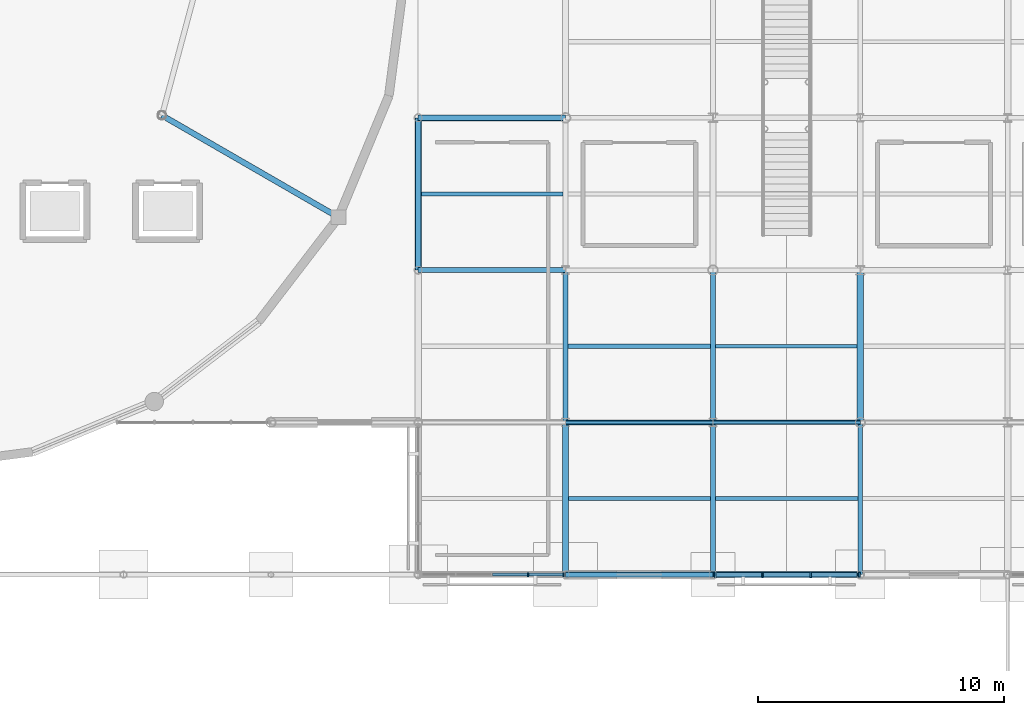
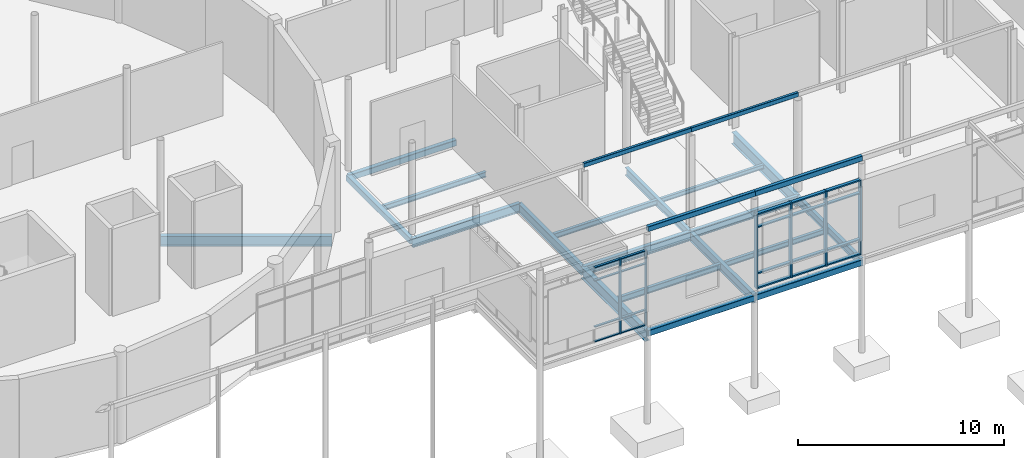
# One storey, part 38 of 98: 26 members, 23 beams, 2 elements without a shape of their own.
"""IFC4 building model written with IfcOpenShell, lengths in metres."""

from ifc_helpers import new_model, si_unit, direction, frame, origin, origin_2d, place, context, subcontext, project, spatial, rectangle, hollow_rectangle, i_section, extrude, material, layer, layer_set, material_profile, profile_set, type_object, element, aggregate, save


model = new_model("IFC4")

# Units and contexts
model_context = context("Model", 3, precision=1e-05, world=origin(), true_north=direction((0.0, 1.0)))
body_context = subcontext(model_context, "Body", "Model", "MODEL_VIEW")
ifc_project = project(units=[si_unit("LENGTHUNIT", "METRE"), si_unit("AREAUNIT", "SQUARE_METRE"), si_unit("VOLUMEUNIT", "CUBIC_METRE"), si_unit("PLANEANGLEUNIT", "RADIAN"), si_unit("MASSUNIT", "GRAM", prefix="KILO")], contexts=[model_context])

# Site, building, storey
site_placement = place(None, origin())
site = spatial("IfcSite", under=ifc_project, at=site_placement, CompositionType="ELEMENT")
building_placement = place(site_placement, origin())
building = spatial("IfcBuilding", under=site, at=building_placement, Name="Mirzam Square Science Centre", CompositionType="ELEMENT")
storey_placement = place(building_placement, origin())
storey = spatial("IfcBuildingStorey", under=building, at=storey_placement, Name="L00", CompositionType="ELEMENT", Elevation=0.0)

# Beams
ifc_material_1 = material(Name="Steel S355", Category="steel")
ifc_material_profile_1 = material_profile(ifc_material_1, i_section(OverallWidth=0.19140625, OverallDepth=0.4599609375, WebThickness=0.010009765625, FlangeThickness=0.01611328125, FilletRadius=0.01025390625, at=origin_2d()), Name="457x191x82UB")
ifc_profile_set_1 = profile_set([ifc_material_profile_1], Name="Steel S355")
beam_type_1 = type_object("IfcBeamType", Name="BM-UB457", PredefinedType="BEAM", material=ifc_profile_set_1)
beam_1_placement = place(storey_placement, frame((114.0, 43.39990234375, -0.530029296875), z_axis=(1.0, 0.0, 0.0), x_axis=(0.0, 1.0, 0.0)))
element("IfcBeam", 1, at=beam_1_placement, inside=storey, type_object=beam_type_1, Name="L00 girder X20-8", PredefinedType="BEAM", context=body_context, shape_type="SweptSolid", body=[
    extrude(i_section(OverallWidth=0.19140625, OverallDepth=0.4599609375, WebThickness=0.010009765625, FlangeThickness=0.01611328125, FilletRadius=0.01025390625, at=origin_2d()), origin(), (0.0, 0.0, 1.0), 6.0),
])
beam_2_placement = place(storey_placement, frame((114.0, 43.39990234375, -0.530029296875), z_axis=(0.0, 1.0, 0.0), x_axis=(-1.0, 0.0, 0.0)))
element("IfcBeam", 2, at=beam_2_placement, inside=storey, type_object=beam_type_1, Name="L00 girder Y20-8", PredefinedType="BEAM", context=body_context, shape_type="SweptSolid", body=[
    extrude(i_section(OverallWidth=0.19140625, OverallDepth=0.4599609375, WebThickness=0.010009765625, FlangeThickness=0.01611328125, FilletRadius=0.01025390625, at=origin_2d()), origin(), (0.0, 0.0, 1.0), 6.2001953125),
])
beam_3_placement = place(storey_placement, frame((120.0, 37.199951171875, -0.530029296875), z_axis=(0.0, 1.0, 0.0), x_axis=(-1.0, 0.0, 0.0)))
element("IfcBeam", 3, at=beam_3_placement, inside=storey, type_object=beam_type_1, Name="L00 girder Y21-7", PredefinedType="BEAM", context=body_context, shape_type="SweptSolid", body=[
    extrude(i_section(OverallWidth=0.19140625, OverallDepth=0.4599609375, WebThickness=0.010009765625, FlangeThickness=0.01611328125, FilletRadius=0.01025390625, at=origin_2d()), origin(), (0.0, 0.0, 1.0), 6.199951171875),
])
ifc_material_profile_2 = material_profile(ifc_material_1, i_section(OverallWidth=0.2099609375, OverallDepth=0.53662109375, WebThickness=0.0107421875, FlangeThickness=0.017333984375, FilletRadius=0.0126953125, at=origin_2d()), Name="533x210x101UB")
ifc_profile_set_2 = profile_set([ifc_material_profile_2], Name="Steel S355")
beam_type_2 = type_object("IfcBeamType", Name="BM-UB533", PredefinedType="BEAM", material=ifc_profile_set_2)
for number, where, z_axis, x_axis, name in (
    (4, (108.0, 43.39990234375, -0.568359375), (1.0, 0.0, 0.0), (0.0, 1.0, 0.0), "L00 girder X19-8"),
    (5, (102.0, 49.60009765625, -0.568359375), (1.0, 0.0, 0.0), (0.0, 1.0, 0.0), "L00 girder X18-9"),
):
    element("IfcBeam", number, at=place(storey_placement, frame(where, z_axis=z_axis, x_axis=x_axis)), inside=storey, type_object=beam_type_2, Name=name, PredefinedType="BEAM", context=body_context, shape_type="SweptSolid", body=[
        extrude(i_section(OverallWidth=0.2099609375, OverallDepth=0.53662109375, WebThickness=0.0107421875, FlangeThickness=0.017333984375, FilletRadius=0.0126953125, at=origin_2d()), origin(), (0.0, 0.0, 1.0), 6.0),
    ])
beam_4_placement = place(storey_placement, frame((108.0, 43.39990234375, -0.568359375), z_axis=(0.0, 1.0, 0.0), x_axis=(-1.0, 0.0, 0.0)))
element("IfcBeam", 6, at=beam_4_placement, inside=storey, type_object=beam_type_2, Name="L00 girder Y19-8", PredefinedType="BEAM", context=body_context, shape_type="SweptSolid", body=[
    extrude(i_section(OverallWidth=0.2099609375, OverallDepth=0.53662109375, WebThickness=0.0107421875, FlangeThickness=0.017333984375, FilletRadius=0.0126953125, at=origin_2d()), origin(), (0.0, 0.0, 1.0), 6.2001953125),
])
beam_5_placement = place(storey_placement, frame((114.0, 37.199951171875, -0.568359375), z_axis=(0.0, 1.0, 0.0), x_axis=(-1.0, 0.0, 0.0)))
element("IfcBeam", 7, at=beam_5_placement, inside=storey, type_object=beam_type_2, Name="L00 girder Y20-7", PredefinedType="BEAM", context=body_context, shape_type="SweptSolid", body=[
    extrude(i_section(OverallWidth=0.2099609375, OverallDepth=0.53662109375, WebThickness=0.0107421875, FlangeThickness=0.017333984375, FilletRadius=0.0126953125, at=origin_2d()), origin(), (0.0, 0.0, 1.0), 6.199951171875),
])
ifc_material_profile_3 = material_profile(ifc_material_1, i_section(OverallWidth=0.22900390625, OverallDepth=0.6123046875, WebThickness=0.011962890625, FlangeThickness=0.01953125, FilletRadius=0.0126953125, at=origin_2d()), Name="610x229x125UB")
ifc_profile_set_3 = profile_set([ifc_material_profile_3], Name="Steel S355")
beam_type_3 = type_object("IfcBeamType", Name="BM-UB610", PredefinedType="BEAM", material=ifc_profile_set_3)
beam_6_placement = place(storey_placement, frame((91.5654296875, 55.89990234375, -0.606201171875), z_axis=(0.86602981871, -0.499992353047, 0.0), x_axis=(0.499992353047, 0.86602981871, 0.0)))
element("IfcBeam", 8, at=beam_6_placement, inside=storey, type_object=beam_type_3, Name="L00 drum radial girder 12", PredefinedType="BEAM", context=body_context, shape_type="SweptSolid", body=[
    extrude(i_section(OverallWidth=0.22900390625, OverallDepth=0.6123046875, WebThickness=0.011962890625, FlangeThickness=0.01953125, FilletRadius=0.0126953125, at=origin_2d()), origin(), (0.0, 0.0, 1.0), 8.300048828125),
])
ifc_material_profile_4 = material_profile(ifc_material_1, i_section(OverallWidth=0.25439453125, OverallDepth=0.6875, WebThickness=0.01318359375, FlangeThickness=0.02099609375, FilletRadius=0.01513671875, at=origin_2d()), Name="686x254x152UB")
ifc_profile_set_4 = profile_set([ifc_material_profile_4], Name="Steel S355")
beam_type_4 = type_object("IfcBeamType", Name="BM-UB686", PredefinedType="BEAM", material=ifc_profile_set_4)
beam_7_placement = place(storey_placement, frame((108.0, 37.199951171875, -0.643798828125), z_axis=(0.0, 1.0, 0.0), x_axis=(-1.0, 0.0, 0.0)))
element("IfcBeam", 9, at=beam_7_placement, inside=storey, type_object=beam_type_4, Name="L00 girder Y19-7", PredefinedType="BEAM", context=body_context, shape_type="SweptSolid", body=[
    extrude(i_section(OverallWidth=0.25439453125, OverallDepth=0.6875, WebThickness=0.01318359375, FlangeThickness=0.02099609375, FilletRadius=0.01513671875, at=origin_2d()), origin(), (0.0, 0.0, 1.0), 6.199951171875),
])
beam_8_placement = place(storey_placement, frame((120.0, 43.39990234375, -0.643798828125), z_axis=(0.0, 1.0, 0.0), x_axis=(-1.0, 0.0, 0.0)))
element("IfcBeam", 10, at=beam_8_placement, inside=storey, type_object=beam_type_4, Name="L00 girder Y21-8", PredefinedType="BEAM", context=body_context, shape_type="SweptSolid", body=[
    extrude(i_section(OverallWidth=0.25439453125, OverallDepth=0.6875, WebThickness=0.01318359375, FlangeThickness=0.02099609375, FilletRadius=0.01513671875, at=origin_2d()), origin(), (0.0, 0.0, 1.0), 6.2001953125),
])

# Curtain wall, members
ifc_material_2 = material(Name="Anodised Aluminium and Low-E Solar Glass", Category="aluminium")
ifc_layer_1 = layer(ifc_material_2, 0.159912109375)
ifc_layer_set_1 = layer_set([ifc_layer_1], Name="CW-COURT-B")
curtain_wall_type_1 = type_object("IfcCurtainWallType", Name="CW-COURT-B", PredefinedType="USERDEFINED", material=ifc_layer_set_1)
curtain_wall_1_placement = place(storey_placement, origin())
curtain_wall_1 = element("IfcCurtainWall", 11, at=curtain_wall_1_placement, inside=storey, type_object=curtain_wall_type_1, Name="L00 unitised curtain wall 64", ObjectType="UNITISED CURTAIN WALL", PredefinedType="USERDEFINED")
ifc_material_3 = material(Name="Anodised Architectural Aluminium 6063-T6", Category="aluminium")
ifc_material_profile_5 = material_profile(ifc_material_3, rectangle(XDim=0.06005859375, YDim=0.159912109375, at=origin_2d()), Name="ALU-MULL-160x60x4")
ifc_profile_set_5 = profile_set([ifc_material_profile_5], Name="Anodised Architectural Aluminium 6063-T6")
member_type_1 = type_object("IfcMemberType", Name="CWM-160", PredefinedType="MULLION", material=ifc_profile_set_5)
member_1_placement = place(storey_placement, frame((106.472412109375, 37.199951171875, 0.0), z_axis=(0.0, 0.0, 1.0), x_axis=(1.0, 0.0, 0.0)))
member_1 = element("IfcMember", 12, at=member_1_placement, type_object=member_type_1, Name="CW-04 mullion 4", PredefinedType="MULLION", context=body_context, shape_type="SweptSolid", body=[
    extrude(rectangle(XDim=0.06005859375, YDim=0.159912109375, at=origin_2d()), origin(), (0.0, 0.0, 1.0), 4.43994140625),
])
member_2_placement = place(storey_placement, frame((107.9150390625, 37.199951171875, 0.0), z_axis=(0.0, 0.0, 1.0), x_axis=(1.0, 0.0, 0.0)))
member_2 = element("IfcMember", 13, at=member_2_placement, type_object=member_type_1, Name="CW-04 mullion 5", PredefinedType="MULLION", context=body_context, shape_type="SweptSolid", body=[
    extrude(rectangle(XDim=0.06005859375, YDim=0.159912109375, at=origin_2d()), origin(), (0.0, 0.0, 1.0), 4.43994140625),
])

ifc_layer_2 = layer(ifc_material_2, 0.239990234375)
ifc_layer_set_2 = layer_set([ifc_layer_2], Name="CW-EAST-B")
curtain_wall_type_2 = type_object("IfcCurtainWallType", Name="CW-EAST-B", PredefinedType="USERDEFINED", material=ifc_layer_set_2)
curtain_wall_2_placement = place(storey_placement, origin())
curtain_wall_2 = element("IfcCurtainWall", 14, at=curtain_wall_2_placement, inside=storey, type_object=curtain_wall_type_2, Name="L00 unitised curtain wall 65", ObjectType="UNITISED CURTAIN WALL", PredefinedType="USERDEFINED")
ifc_material_profile_6 = material_profile(ifc_material_3, rectangle(XDim=0.074951171875, YDim=0.239990234375, at=origin_2d()), Name="ALU-MULL-240x75x5")
ifc_profile_set_6 = profile_set([ifc_material_profile_6], Name="Anodised Architectural Aluminium 6063-T6")
member_type_2 = type_object("IfcMemberType", Name="CWM-240", PredefinedType="MULLION", material=ifc_profile_set_6)
member_3_placement = place(storey_placement, frame((114.092529296875, 37.199951171875, 0.0), z_axis=(0.0, 0.0, 1.0), x_axis=(1.0, 0.0, 0.0)))
member_3 = element("IfcMember", 15, at=member_3_placement, type_object=member_type_2, Name="CW-06 mullion 1", PredefinedType="MULLION", context=body_context, shape_type="SweptSolid", body=[
    extrude(rectangle(XDim=0.074951171875, YDim=0.239990234375, at=origin_2d()), origin(), (0.0, 0.0, 1.0), 4.43994140625),
])
member_4_placement = place(storey_placement, frame((116.018310546875, 37.199951171875, 0.0), z_axis=(0.0, 0.0, 1.0), x_axis=(1.0, 0.0, 0.0)))
member_4 = element("IfcMember", 16, at=member_4_placement, type_object=member_type_2, Name="CW-06 mullion 2", PredefinedType="MULLION", context=body_context, shape_type="SweptSolid", body=[
    extrude(rectangle(XDim=0.074951171875, YDim=0.239990234375, at=origin_2d()), origin(), (0.0, 0.0, 1.0), 4.43994140625),
])
member_5_placement = place(storey_placement, frame((117.981689453125, 37.199951171875, 0.0), z_axis=(0.0, 0.0, 1.0), x_axis=(1.0, 0.0, 0.0)))
member_5 = element("IfcMember", 17, at=member_5_placement, type_object=member_type_2, Name="CW-06 mullion 3", PredefinedType="MULLION", context=body_context, shape_type="SweptSolid", body=[
    extrude(rectangle(XDim=0.074951171875, YDim=0.239990234375, at=origin_2d()), origin(), (0.0, 0.0, 1.0), 4.43994140625),
])
member_6_placement = place(storey_placement, frame((119.907470703125, 37.199951171875, 0.0), z_axis=(0.0, 0.0, 1.0), x_axis=(1.0, 0.0, 0.0)))
member_6 = element("IfcMember", 18, at=member_6_placement, type_object=member_type_2, Name="CW-06 mullion 4", PredefinedType="MULLION", context=body_context, shape_type="SweptSolid", body=[
    extrude(rectangle(XDim=0.074951171875, YDim=0.239990234375, at=origin_2d()), origin(), (0.0, 0.0, 1.0), 4.43994140625),
])

# Member
ifc_material_profile_7 = material_profile(ifc_material_3, rectangle(XDim=0.1201171875, YDim=0.06005859375, at=origin_2d()), Name="ALU-TRAN-120x60x4")
ifc_profile_set_7 = profile_set([ifc_material_profile_7], Name="Anodised Architectural Aluminium 6063-T6")
member_type_3 = type_object("IfcMemberType", Name="CWT-120", PredefinedType="USERDEFINED", material=ifc_profile_set_7)
member_7_placement = place(storey_placement, frame((105.030029296875, 37.199951171875, 0.030029296875), z_axis=(1.0, 0.0, 0.0), x_axis=(0.0, 1.0, 0.0)))
member_7 = element("IfcMember", 19, at=member_7_placement, type_object=member_type_3, Name="CW-04 transom 3.1", ObjectType="TRANSOM", PredefinedType="USERDEFINED", context=body_context, shape_type="SweptSolid", body=[
    extrude(rectangle(XDim=0.1201171875, YDim=0.06005859375, at=origin_2d()), origin(), (0.0, 0.0, 1.0), 1.412353515625),
])

member_8_placement = place(storey_placement, frame((105.030029296875, 37.199951171875, 0.89990234375), z_axis=(1.0, 0.0, 0.0), x_axis=(0.0, 1.0, 0.0)))
member_8 = element("IfcMember", 20, at=member_8_placement, type_object=member_type_3, Name="CW-04 transom 3.2", ObjectType="TRANSOM", PredefinedType="USERDEFINED", context=body_context, shape_type="SweptSolid", body=[
    extrude(rectangle(XDim=0.1201171875, YDim=0.06005859375, at=origin_2d()), origin(), (0.0, 0.0, 1.0), 1.412353515625),
])

member_9_placement = place(storey_placement, frame((105.030029296875, 37.199951171875, 3.639892578125), z_axis=(1.0, 0.0, 0.0), x_axis=(0.0, 1.0, 0.0)))
member_9 = element("IfcMember", 21, at=member_9_placement, type_object=member_type_3, Name="CW-04 transom 3.3", ObjectType="TRANSOM", PredefinedType="USERDEFINED", context=body_context, shape_type="SweptSolid", body=[
    extrude(rectangle(XDim=0.1201171875, YDim=0.06005859375, at=origin_2d()), origin(), (0.0, 0.0, 1.0), 1.412353515625),
])

member_10_placement = place(storey_placement, frame((105.030029296875, 37.199951171875, 4.409912109375), z_axis=(1.0, 0.0, 0.0), x_axis=(0.0, 1.0, 0.0)))
member_10 = element("IfcMember", 22, at=member_10_placement, type_object=member_type_3, Name="CW-04 transom 3.4", ObjectType="TRANSOM", PredefinedType="USERDEFINED", context=body_context, shape_type="SweptSolid", body=[
    extrude(rectangle(XDim=0.1201171875, YDim=0.06005859375, at=origin_2d()), origin(), (0.0, 0.0, 1.0), 1.412353515625),
])

member_11_placement = place(storey_placement, frame((106.50244140625, 37.199951171875, 0.030029296875), z_axis=(1.0, 0.0, 0.0), x_axis=(0.0, 1.0, 0.0)))
member_11 = element("IfcMember", 23, at=member_11_placement, type_object=member_type_3, Name="CW-04 transom 4.1", ObjectType="TRANSOM", PredefinedType="USERDEFINED", context=body_context, shape_type="SweptSolid", body=[
    extrude(rectangle(XDim=0.1201171875, YDim=0.06005859375, at=origin_2d()), origin(), (0.0, 0.0, 1.0), 1.382568359375),
])

member_12_placement = place(storey_placement, frame((106.50244140625, 37.199951171875, 0.89990234375), z_axis=(1.0, 0.0, 0.0), x_axis=(0.0, 1.0, 0.0)))
member_12 = element("IfcMember", 24, at=member_12_placement, type_object=member_type_3, Name="CW-04 transom 4.2", ObjectType="TRANSOM", PredefinedType="USERDEFINED", context=body_context, shape_type="SweptSolid", body=[
    extrude(rectangle(XDim=0.1201171875, YDim=0.06005859375, at=origin_2d()), origin(), (0.0, 0.0, 1.0), 1.382568359375),
])

member_13_placement = place(storey_placement, frame((106.50244140625, 37.199951171875, 3.639892578125), z_axis=(1.0, 0.0, 0.0), x_axis=(0.0, 1.0, 0.0)))
member_13 = element("IfcMember", 25, at=member_13_placement, type_object=member_type_3, Name="CW-04 transom 4.3", ObjectType="TRANSOM", PredefinedType="USERDEFINED", context=body_context, shape_type="SweptSolid", body=[
    extrude(rectangle(XDim=0.1201171875, YDim=0.06005859375, at=origin_2d()), origin(), (0.0, 0.0, 1.0), 1.382568359375),
])

member_14_placement = place(storey_placement, frame((106.50244140625, 37.199951171875, 4.409912109375), z_axis=(1.0, 0.0, 0.0), x_axis=(0.0, 1.0, 0.0)))
member_14 = element("IfcMember", 26, at=member_14_placement, type_object=member_type_3, Name="CW-04 transom 4.4", ObjectType="TRANSOM", PredefinedType="USERDEFINED", context=body_context, shape_type="SweptSolid", body=[
    extrude(rectangle(XDim=0.1201171875, YDim=0.06005859375, at=origin_2d()), origin(), (0.0, 0.0, 1.0), 1.382568359375),
])

aggregate(curtain_wall_1, [member_1, member_2, member_7, member_8, member_9, member_10, member_11, member_12, member_13, member_14])

ifc_material_profile_8 = material_profile(ifc_material_3, rectangle(XDim=0.179931640625, YDim=0.074951171875, at=origin_2d()), Name="ALU-TRAN-180x75x5")
ifc_profile_set_8 = profile_set([ifc_material_profile_8], Name="Anodised Architectural Aluminium 6063-T6")
member_type_4 = type_object("IfcMemberType", Name="CWT-180", PredefinedType="USERDEFINED", material=ifc_profile_set_8)
member_15_placement = place(storey_placement, frame((114.1298828125, 37.199951171875, 0.03759765625), z_axis=(1.0, 0.0, 0.0), x_axis=(0.0, 1.0, 0.0)))
member_15 = element("IfcMember", 27, at=member_15_placement, type_object=member_type_4, Name="CW-06 transom 1.1", ObjectType="TRANSOM", PredefinedType="USERDEFINED", context=body_context, shape_type="SweptSolid", body=[
    extrude(rectangle(XDim=0.179931640625, YDim=0.074951171875, at=origin_2d()), origin(), (0.0, 0.0, 1.0), 1.850830078125),
])

member_16_placement = place(storey_placement, frame((114.1298828125, 37.199951171875, 0.89990234375), z_axis=(1.0, 0.0, 0.0), x_axis=(0.0, 1.0, 0.0)))
member_16 = element("IfcMember", 28, at=member_16_placement, type_object=member_type_4, Name="CW-06 transom 1.2", ObjectType="TRANSOM", PredefinedType="USERDEFINED", context=body_context, shape_type="SweptSolid", body=[
    extrude(rectangle(XDim=0.179931640625, YDim=0.074951171875, at=origin_2d()), origin(), (0.0, 0.0, 1.0), 1.850830078125),
])

member_17_placement = place(storey_placement, frame((114.1298828125, 37.199951171875, 3.639892578125), z_axis=(1.0, 0.0, 0.0), x_axis=(0.0, 1.0, 0.0)))
member_17 = element("IfcMember", 29, at=member_17_placement, type_object=member_type_4, Name="CW-06 transom 1.3", ObjectType="TRANSOM", PredefinedType="USERDEFINED", context=body_context, shape_type="SweptSolid", body=[
    extrude(rectangle(XDim=0.179931640625, YDim=0.074951171875, at=origin_2d()), origin(), (0.0, 0.0, 1.0), 1.850830078125),
])

member_18_placement = place(storey_placement, frame((114.1298828125, 37.199951171875, 4.402587890625), z_axis=(1.0, 0.0, 0.0), x_axis=(0.0, 1.0, 0.0)))
member_18 = element("IfcMember", 30, at=member_18_placement, type_object=member_type_4, Name="CW-06 transom 1.4", ObjectType="TRANSOM", PredefinedType="USERDEFINED", context=body_context, shape_type="SweptSolid", body=[
    extrude(rectangle(XDim=0.179931640625, YDim=0.074951171875, at=origin_2d()), origin(), (0.0, 0.0, 1.0), 1.850830078125),
])

member_19_placement = place(storey_placement, frame((116.055908203125, 37.199951171875, 0.03759765625), z_axis=(1.0, 0.0, 0.0), x_axis=(0.0, 1.0, 0.0)))
member_19 = element("IfcMember", 31, at=member_19_placement, type_object=member_type_4, Name="CW-06 transom 2.1", ObjectType="TRANSOM", PredefinedType="USERDEFINED", context=body_context, shape_type="SweptSolid", body=[
    extrude(rectangle(XDim=0.179931640625, YDim=0.074951171875, at=origin_2d()), origin(), (0.0, 0.0, 1.0), 1.88818359375),
])

member_20_placement = place(storey_placement, frame((116.055908203125, 37.199951171875, 0.89990234375), z_axis=(1.0, 0.0, 0.0), x_axis=(0.0, 1.0, 0.0)))
member_20 = element("IfcMember", 32, at=member_20_placement, type_object=member_type_4, Name="CW-06 transom 2.2", ObjectType="TRANSOM", PredefinedType="USERDEFINED", context=body_context, shape_type="SweptSolid", body=[
    extrude(rectangle(XDim=0.179931640625, YDim=0.074951171875, at=origin_2d()), origin(), (0.0, 0.0, 1.0), 1.88818359375),
])

member_21_placement = place(storey_placement, frame((116.055908203125, 37.199951171875, 3.639892578125), z_axis=(1.0, 0.0, 0.0), x_axis=(0.0, 1.0, 0.0)))
member_21 = element("IfcMember", 33, at=member_21_placement, type_object=member_type_4, Name="CW-06 transom 2.3", ObjectType="TRANSOM", PredefinedType="USERDEFINED", context=body_context, shape_type="SweptSolid", body=[
    extrude(rectangle(XDim=0.179931640625, YDim=0.074951171875, at=origin_2d()), origin(), (0.0, 0.0, 1.0), 1.88818359375),
])

member_22_placement = place(storey_placement, frame((116.055908203125, 37.199951171875, 4.402587890625), z_axis=(1.0, 0.0, 0.0), x_axis=(0.0, 1.0, 0.0)))
member_22 = element("IfcMember", 34, at=member_22_placement, type_object=member_type_4, Name="CW-06 transom 2.4", ObjectType="TRANSOM", PredefinedType="USERDEFINED", context=body_context, shape_type="SweptSolid", body=[
    extrude(rectangle(XDim=0.179931640625, YDim=0.074951171875, at=origin_2d()), origin(), (0.0, 0.0, 1.0), 1.88818359375),
])

member_23_placement = place(storey_placement, frame((118.019287109375, 37.199951171875, 0.03759765625), z_axis=(1.0, 0.0, 0.0), x_axis=(0.0, 1.0, 0.0)))
member_23 = element("IfcMember", 35, at=member_23_placement, type_object=member_type_4, Name="CW-06 transom 3.1", ObjectType="TRANSOM", PredefinedType="USERDEFINED", context=body_context, shape_type="SweptSolid", body=[
    extrude(rectangle(XDim=0.179931640625, YDim=0.074951171875, at=origin_2d()), origin(), (0.0, 0.0, 1.0), 1.850830078125),
])

member_24_placement = place(storey_placement, frame((118.019287109375, 37.199951171875, 0.89990234375), z_axis=(1.0, 0.0, 0.0), x_axis=(0.0, 1.0, 0.0)))
member_24 = element("IfcMember", 36, at=member_24_placement, type_object=member_type_4, Name="CW-06 transom 3.2", ObjectType="TRANSOM", PredefinedType="USERDEFINED", context=body_context, shape_type="SweptSolid", body=[
    extrude(rectangle(XDim=0.179931640625, YDim=0.074951171875, at=origin_2d()), origin(), (0.0, 0.0, 1.0), 1.850830078125),
])

member_25_placement = place(storey_placement, frame((118.019287109375, 37.199951171875, 3.639892578125), z_axis=(1.0, 0.0, 0.0), x_axis=(0.0, 1.0, 0.0)))
member_25 = element("IfcMember", 37, at=member_25_placement, type_object=member_type_4, Name="CW-06 transom 3.3", ObjectType="TRANSOM", PredefinedType="USERDEFINED", context=body_context, shape_type="SweptSolid", body=[
    extrude(rectangle(XDim=0.179931640625, YDim=0.074951171875, at=origin_2d()), origin(), (0.0, 0.0, 1.0), 1.850830078125),
])

member_26_placement = place(storey_placement, frame((118.019287109375, 37.199951171875, 4.402587890625), z_axis=(1.0, 0.0, 0.0), x_axis=(0.0, 1.0, 0.0)))
member_26 = element("IfcMember", 38, at=member_26_placement, type_object=member_type_4, Name="CW-06 transom 3.4", ObjectType="TRANSOM", PredefinedType="USERDEFINED", context=body_context, shape_type="SweptSolid", body=[
    extrude(rectangle(XDim=0.179931640625, YDim=0.074951171875, at=origin_2d()), origin(), (0.0, 0.0, 1.0), 1.850830078125),
])

aggregate(curtain_wall_2, [member_3, member_4, member_5, member_6, member_15, member_16, member_17, member_18, member_19, member_20, member_21, member_22, member_23, member_24, member_25, member_26])

# Beams
ifc_material_profile_9 = material_profile(ifc_material_1, i_section(OverallWidth=0.146484375, OverallDepth=0.256103515625, WebThickness=0.00634765625, FlangeThickness=0.010986328125, FilletRadius=0.007568359375, at=origin_2d()), Name="254x146x37UB")
ifc_profile_set_9 = profile_set([ifc_material_profile_9], Name="Steel S355")
beam_type_5 = type_object("IfcBeamType", Name="JS-UB254", PredefinedType="JOIST", material=ifc_profile_set_9)
beam_9_placement = place(storey_placement, frame((114.095703125, 46.5, -0.427978515625), z_axis=(1.0, 0.0, 0.0), x_axis=(0.0, 1.0, 0.0)))
element("IfcBeam", 39, at=beam_9_placement, inside=storey, type_object=beam_type_5, Name="L00 composite joist 20-8", PredefinedType="JOIST", context=body_context, shape_type="SweptSolid", body=[
    extrude(i_section(OverallWidth=0.146484375, OverallDepth=0.256103515625, WebThickness=0.00634765625, FlangeThickness=0.010986328125, FilletRadius=0.007568359375, at=origin_2d()), origin(), (0.0, 0.0, 1.0), 5.777099609375),
])
ifc_material_profile_10 = material_profile(ifc_material_1, i_section(OverallWidth=0.165771484375, OverallDepth=0.306640625, WebThickness=0.006591796875, FlangeThickness=0.01171875, FilletRadius=0.0087890625, at=origin_2d()), Name="305x165x46UB")
ifc_profile_set_10 = profile_set([ifc_material_profile_10], Name="Steel S355")
beam_type_6 = type_object("IfcBeamType", Name="JS-UB305", PredefinedType="JOIST", material=ifc_profile_set_10)
beam_10_placement = place(storey_placement, frame((102.125, 52.699951171875, -0.453369140625), z_axis=(1.0, 0.0, 0.0), x_axis=(0.0, 1.0, 0.0)))
element("IfcBeam", 40, at=beam_10_placement, inside=storey, type_object=beam_type_6, Name="L00 composite joist 18-9", PredefinedType="JOIST", context=body_context, shape_type="SweptSolid", body=[
    extrude(i_section(OverallWidth=0.165771484375, OverallDepth=0.306640625, WebThickness=0.006591796875, FlangeThickness=0.01171875, FilletRadius=0.0087890625, at=origin_2d()), origin(), (0.0, 0.0, 1.0), 5.779296875),
])
for number, where, z_axis, x_axis, name in (
    (41, (108.10498046875, 46.5, -0.453369140625), (1.0, 0.0, 0.0), (0.0, 1.0, 0.0), "L00 composite joist 19-8"),
    (42, (114.10498046875, 40.300048828125, -0.453369140625), (1.0, 0.0, 0.0), (0.0, 1.0, 0.0), "L00 composite joist 20-7"),
):
    element("IfcBeam", number, at=place(storey_placement, frame(where, z_axis=z_axis, x_axis=x_axis)), inside=storey, type_object=beam_type_6, Name=name, PredefinedType="JOIST", context=body_context, shape_type="SweptSolid", body=[
        extrude(i_section(OverallWidth=0.165771484375, OverallDepth=0.306640625, WebThickness=0.006591796875, FlangeThickness=0.01171875, FilletRadius=0.0087890625, at=origin_2d()), origin(), (0.0, 0.0, 1.0), 5.79931640625),
    ])
ifc_material_profile_11 = material_profile(ifc_material_1, i_section(OverallWidth=0.172119140625, OverallDepth=0.35791015625, WebThickness=0.008056640625, FlangeThickness=0.012939453125, FilletRadius=0.01025390625, at=origin_2d()), Name="356x171x57UB")
ifc_profile_set_11 = profile_set([ifc_material_profile_11], Name="Steel S355")
beam_type_7 = type_object("IfcBeamType", Name="JS-UB356", PredefinedType="JOIST", material=ifc_profile_set_11)
beam_11_placement = place(storey_placement, frame((108.127197265625, 40.300048828125, -0.47900390625), z_axis=(1.0, 0.0, 0.0), x_axis=(0.0, 1.0, 0.0)))
element("IfcBeam", 43, at=beam_11_placement, inside=storey, type_object=beam_type_7, Name="L00 composite joist 19-7", PredefinedType="JOIST", context=body_context, shape_type="SweptSolid", body=[
    extrude(i_section(OverallWidth=0.172119140625, OverallDepth=0.35791015625, WebThickness=0.008056640625, FlangeThickness=0.012939453125, FilletRadius=0.01025390625, at=origin_2d()), origin(), (0.0, 0.0, 1.0), 5.767822265625),
])
ifc_material_profile_12 = material_profile(ifc_material_1, hollow_rectangle(XDim=0.14990234375, YDim=0.25, WallThickness=0.010009765625, InnerFilletRadius=0.010009765625, OuterFilletRadius=0.02001953125, at=origin_2d()), Name="250x150x10.0RHS")
ifc_profile_set_12 = profile_set([ifc_material_profile_12], Name="Steel S355")
beam_type_8 = type_object("IfcBeamType", Name="SP-RHS250", PredefinedType="SPANDREL", material=ifc_profile_set_12)
for number, where, z_axis, x_axis, name in (
    (44, (108.0, 43.39990234375, 5.669921875), (1.0, 0.0, 0.0), (0.0, 1.0, 0.0), "Square colonnade outer beam 19"),
    (45, (114.0, 43.39990234375, 5.669921875), (1.0, 0.0, 0.0), (0.0, 1.0, 0.0), "Square colonnade outer beam 20"),
):
    element("IfcBeam", number, at=place(storey_placement, frame(where, z_axis=z_axis, x_axis=x_axis)), inside=storey, type_object=beam_type_8, Name=name, PredefinedType="SPANDREL", context=body_context, shape_type="SweptSolid", body=[
        extrude(hollow_rectangle(XDim=0.14990234375, YDim=0.25, WallThickness=0.010009765625, InnerFilletRadius=0.010009765625, OuterFilletRadius=0.02001953125, at=origin_2d()), origin(), (0.0, 0.0, 1.0), 6.0),
    ])
ifc_material_profile_13 = material_profile(ifc_material_1, hollow_rectangle(XDim=0.199951171875, YDim=0.300048828125, WallThickness=0.010009765625, InnerFilletRadius=0.010009765625, OuterFilletRadius=0.02001953125, at=origin_2d()), Name="300x200x10.0RHS")
ifc_profile_set_13 = profile_set([ifc_material_profile_13], Name="Steel S355")
beam_type_9 = type_object("IfcBeamType", Name="SP-RHS300", PredefinedType="SPANDREL", material=ifc_profile_set_13)
for number, where, z_axis, x_axis, name in (
    (46, (108.0, 37.199951171875, 5.669921875), (1.0, 0.0, 0.0), (0.0, 1.0, 0.0), "Square colonnade beam 19"),
    (47, (114.0, 37.199951171875, 5.669921875), (1.0, 0.0, 0.0), (0.0, 1.0, 0.0), "Square colonnade beam 20"),
):
    element("IfcBeam", number, at=place(storey_placement, frame(where, z_axis=z_axis, x_axis=x_axis)), inside=storey, type_object=beam_type_9, Name=name, PredefinedType="SPANDREL", context=body_context, shape_type="SweptSolid", body=[
        extrude(hollow_rectangle(XDim=0.199951171875, YDim=0.300048828125, WallThickness=0.010009765625, InnerFilletRadius=0.010009765625, OuterFilletRadius=0.02001953125, at=origin_2d()), origin(), (0.0, 0.0, 1.0), 6.0),
    ])
ifc_material_profile_14 = material_profile(ifc_material_1, hollow_rectangle(XDim=0.25, YDim=0.35009765625, WallThickness=0.012451171875, InnerFilletRadius=0.012451171875, OuterFilletRadius=0.02490234375, at=origin_2d()), Name="350x250x12.5RHS")
ifc_profile_set_14 = profile_set([ifc_material_profile_14], Name="Steel S355")
beam_type_10 = type_object("IfcBeamType", Name="SP-RHS350", PredefinedType="SPANDREL", material=ifc_profile_set_14)
for number, where, z_axis, x_axis, name in (
    (48, (108.0, 37.199951171875, -0.47509765625), (1.0, 0.0, 0.0), (0.0, 1.0, 0.0), "L00 girder X19-7"),
    (49, (114.0, 37.199951171875, -0.47509765625), (1.0, 0.0, 0.0), (0.0, 1.0, 0.0), "L00 girder X20-7"),
    (50, (102.0, 55.800048828125, -0.47509765625), (1.0, 0.0, 0.0), (0.0, 1.0, 0.0), "L00 girder X18-10"),
):
    element("IfcBeam", number, at=place(storey_placement, frame(where, z_axis=z_axis, x_axis=x_axis)), inside=storey, type_object=beam_type_10, Name=name, PredefinedType="SPANDREL", context=body_context, shape_type="SweptSolid", body=[
        extrude(hollow_rectangle(XDim=0.25, YDim=0.35009765625, WallThickness=0.012451171875, InnerFilletRadius=0.012451171875, OuterFilletRadius=0.02490234375, at=origin_2d()), origin(), (0.0, 0.0, 1.0), 6.0),
    ])
beam_12_placement = place(storey_placement, frame((102.0, 49.60009765625, -0.47509765625), z_axis=(0.0, 1.0, 0.0), x_axis=(-1.0, 0.0, 0.0)))
element("IfcBeam", 51, at=beam_12_placement, inside=storey, type_object=beam_type_10, Name="L00 girder Y18-9", PredefinedType="SPANDREL", context=body_context, shape_type="SweptSolid", body=[
    extrude(hollow_rectangle(XDim=0.25, YDim=0.35009765625, WallThickness=0.012451171875, InnerFilletRadius=0.012451171875, OuterFilletRadius=0.02490234375, at=origin_2d()), origin(), (0.0, 0.0, 1.0), 6.199951171875),
])

save(model, "model.ifc")
